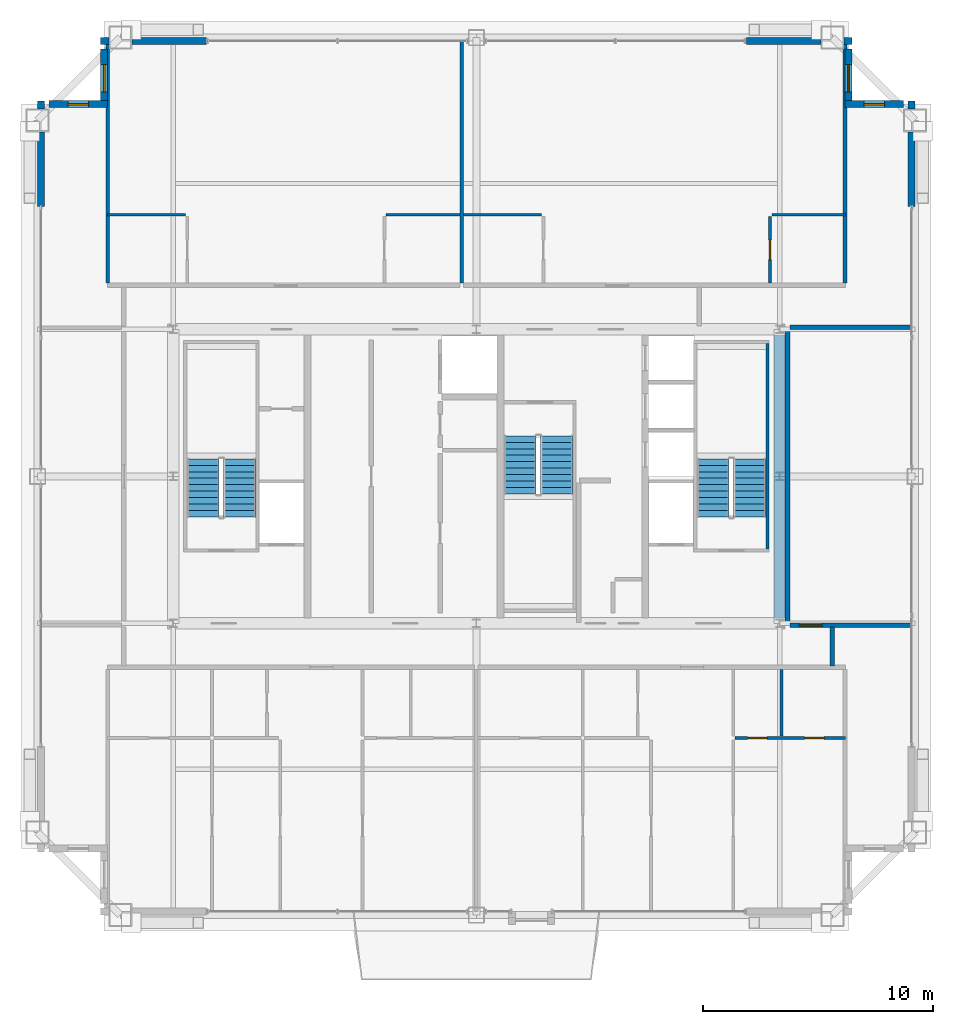
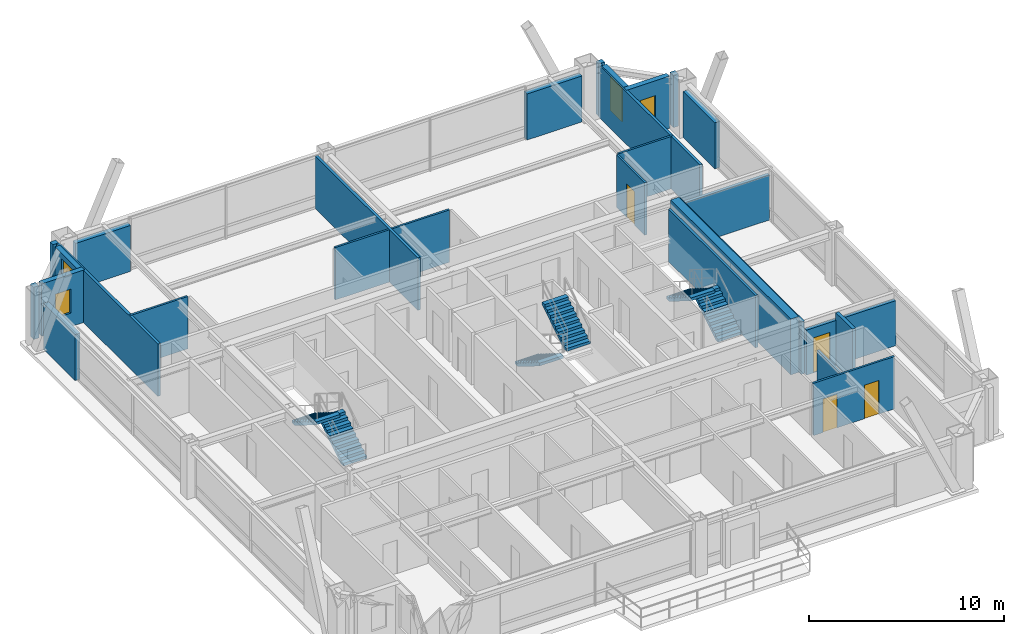
# One storey, part 33 of 34: 28 walls, 6 stair flights, 4 doors, 4 windows, 8 openings, 3 elements without a shape of their own.
"""IFC4 building model written with IfcOpenShell, lengths in metres."""

from ifc_helpers import new_model, si_unit, direction, frame, frame_2d, origin, place, context, subcontext, project, spatial, polyline, rectangle, outline, extrude, source, transform, mapped, material, layer, layer_set, type_object, element, fill, aggregate, save


model = new_model("IFC4")

# Units and contexts
model_context = context("Model", 3, precision=1e-05, world=origin(), true_north=direction((0.0, 1.0)))
body_context = subcontext(model_context, "Body", "Model", "MODEL_VIEW")
ifc_project = project(units=[si_unit("LENGTHUNIT", "METRE"), si_unit("AREAUNIT", "SQUARE_METRE"), si_unit("VOLUMEUNIT", "CUBIC_METRE"), si_unit("PLANEANGLEUNIT", "RADIAN"), si_unit("MASSUNIT", "GRAM", prefix="KILO"), si_unit("THERMODYNAMICTEMPERATUREUNIT", "KELVIN"), si_unit("POWERUNIT", "WATT")], contexts=[model_context])

# Site, building, storey
site_placement = place(None, origin())
site = spatial("IfcSite", under=ifc_project, at=site_placement, CompositionType="ELEMENT")
building_placement = place(site_placement, origin())
building = spatial("IfcBuilding", under=site, at=building_placement, Name="Yuzanri Waterfront Tower", CompositionType="ELEMENT")
storey_placement = place(building_placement, frame((0.0, 0.0, 328.699951171875)))
storey = spatial("IfcBuildingStorey", under=building, at=storey_placement, Name="L88", CompositionType="ELEMENT", Elevation=328.699951171875)

# Wall, openings, doors
ifc_material_1 = material(Name="Moisture-Resistant Gypsum Stud Wall", Category="gypsum")
ifc_layer_1 = layer(ifc_material_1, 0.1201171875)
ifc_layer_set_1 = layer_set([ifc_layer_1], Name="Moisture-Resistant Gypsum Stud Wall")
wall_type_1 = type_object("IfcWallType", Name="Bathroom and Kitchen Wet Partition 120", PredefinedType="PARTITIONING", material=ifc_layer_set_1)
wall_1_placement = place(storey_placement, frame((48.26611328125, 14.409912109375, 0.0), z_axis=(0.0, 0.0, 1.0), x_axis=(1.0, 0.0, 0.0)))
wall_1 = element("IfcWall", 1, at=wall_1_placement, inside=storey, type_object=wall_type_1, Name="L88 Partition UW-L88-HS2-SUB-6-N", PredefinedType="PARTITIONING", context=body_context, shape_type="SweptSolid", body=[
    extrude(rectangle(XDim=4.7939453125, YDim=0.1201171875, at=frame_2d((2.39697265625, 0.0))), origin(), (0.0, 0.0, 1.0), 3.280029296875),
])
opening_1_placement = place(wall_1_placement, frame((3.01904296875, 0.0, 0.0)))
opening_1 = element("IfcOpeningElement", 2, at=opening_1_placement, cuts=wall_1, Name="Opening ID-0850", PredefinedType="OPENING", context=body_context, shape_type="SweptSolid", body=[
    extrude(rectangle(XDim=0.85009765625, YDim=2.10009765625, at=frame_2d((0.425048828125, 1.050048828125))), frame((0.0, 0.074951171875, 0.0), z_axis=(0.0, -1.0, 0.0), x_axis=(1.0, 0.0, 0.0)), (0.0, 0.0, 1.0), 0.14990234375),
])
opening_2_placement = place(wall_1_placement, frame((0.5419921875, 0.0, 0.0)))
opening_2 = element("IfcOpeningElement", 3, at=opening_2_placement, cuts=wall_1, Name="Opening ID-0850", PredefinedType="OPENING", context=body_context, shape_type="SweptSolid", body=[
    extrude(rectangle(XDim=0.85009765625, YDim=2.10009765625, at=frame_2d((0.425048828125, 1.050048828125))), frame((0.0, 0.074951171875, 0.0), z_axis=(0.0, -1.0, 0.0), x_axis=(1.0, 0.0, 0.0)), (0.0, 0.0, 1.0), 0.14990234375),
])
ifc_material_2 = material(Name="Moisture-Resistant Lacquered Timber", Category="wood")
door_type_1 = type_object("IfcDoorType", Name="En-Suite Bathroom and Kitchen Swing Door 850x2100", OperationType="NOTDEFINED", PredefinedType="DOOR", material=ifc_material_2)
shared_shape_1 = source(origin(), body_context, "Body", "SweptSolid", [
    extrude(rectangle(XDim=0.85009765625, YDim=2.10009765625, at=frame_2d((0.425048828125, 1.050048828125))), frame((0.0, 0.02490234375, 0.0), z_axis=(0.0, -1.0, 0.0), x_axis=(1.0, 0.0, 0.0)), (0.0, 0.0, 1.0), 0.050048828125),
])
door_1_placement = place(opening_1_placement, origin())
door_1 = element("IfcDoor", 4, at=door_1_placement, inside=storey, type_object=door_type_1, Name="L88 Suite Interior Room Door", OperationType="SINGLE_SWING_LEFT", OverallHeight=2.10009765625, OverallWidth=0.85009765625, PredefinedType="DOOR", context=body_context, shape_type="MappedRepresentation", body=[
    mapped(shared_shape_1, transform((0.0, 0.0, 0.0), scale=1.0)),
])
fill(opening_1, door_1)
door_2_placement = place(opening_2_placement, origin())
door_2 = element("IfcDoor", 5, at=door_2_placement, inside=storey, type_object=door_type_1, Name="L88 Suite Interior Room Door", OperationType="SINGLE_SWING_RIGHT", OverallHeight=2.10009765625, OverallWidth=0.85009765625, PredefinedType="DOOR", context=body_context, shape_type="MappedRepresentation", body=[
    mapped(shared_shape_1, transform((0.0, 0.0, 0.0), scale=1.0)),
])
fill(opening_2, door_2)

# Wall, opening, door
wall_2_placement = place(storey_placement, frame((49.780029296875, 34.2099609375, 0.0), z_axis=(0.0, 0.0, 1.0), x_axis=(0.0, 1.0, 0.0)))
wall_2 = element("IfcWall", 6, at=wall_2_placement, inside=storey, type_object=wall_type_1, Name="L88 Partition UW-L88-HN2-SUB-2-W", PredefinedType="PARTITIONING", context=body_context, shape_type="SweptSolid", body=[
    extrude(rectangle(XDim=2.900146484375, YDim=0.1201171875, at=frame_2d((1.4501953125, 0.0))), origin(), (0.0, 0.0, 1.0), 3.280029296875),
])
opening_3_placement = place(wall_2_placement, frame((1.02490234375, 0.0, 0.0)))
opening_3 = element("IfcOpeningElement", 7, at=opening_3_placement, cuts=wall_2, Name="Opening ID-0850", PredefinedType="OPENING", context=body_context, shape_type="SweptSolid", body=[
    extrude(rectangle(XDim=0.85009765625, YDim=2.10009765625, at=frame_2d((0.425048828125, 1.050048828125))), frame((0.0, 0.074951171875, 0.0), z_axis=(0.0, -1.0, 0.0), x_axis=(1.0, 0.0, 0.0)), (0.0, 0.0, 1.0), 0.14990234375),
])
door_3_placement = place(opening_3_placement, origin())
door_3 = element("IfcDoor", 8, at=door_3_placement, inside=storey, type_object=door_type_1, Name="L88 Suite Interior Room Door", OperationType="SINGLE_SWING_LEFT", OverallHeight=2.10009765625, OverallWidth=0.85009765625, PredefinedType="DOOR", context=body_context, shape_type="MappedRepresentation", body=[
    mapped(shared_shape_1, transform((0.0, 0.0, 0.0), scale=1.0)),
])
fill(opening_3, door_3)

# Wall, opening, window
ifc_material_3 = material(Name="Honed Chongqing Dark Basalt Stone", Category="masonry")
ifc_layer_2 = layer(ifc_material_3, 0.300048828125)
ifc_layer_set_2 = layer_set([ifc_layer_2], Name="Honed Chongqing Dark Basalt Stone")
wall_type_2 = type_object("IfcWallType", Name="Bronze Rainscreen Insulated Spandrel Portal Wall 300", PredefinedType="SOLIDWALL", material=ifc_layer_set_2)
wall_3_placement = place(storey_placement, frame((20.949951171875, 42.0, 0.0), z_axis=(0.0, 0.0, 1.0), x_axis=(-1.0, 0.0, 0.0)))
wall_3 = element("IfcWall", 9, at=wall_3_placement, inside=storey, type_object=wall_type_2, Name="L88 Notched Corner Masonry Wall NW-X", PredefinedType="SOLIDWALL", context=body_context, shape_type="SweptSolid", body=[
    extrude(rectangle(XDim=2.550048828125, YDim=0.300048828125, at=frame_2d((1.27490234375, 0.0))), origin(), (0.0, 0.0, 1.0), 3.280029296875),
])
opening_4_placement = place(wall_3_placement, frame((0.824951171875, 0.0, 0.85009765625)))
opening_4 = element("IfcOpeningElement", 10, at=opening_4_placement, cuts=wall_3, Name="Opening WN-05", PredefinedType="OPENING", context=body_context, shape_type="SweptSolid", body=[
    extrude(rectangle(XDim=0.89990234375, YDim=1.5, at=frame_2d((0.449951171875, 0.75))), frame((0.0, 0.1650390625, 0.0), z_axis=(0.0, -1.0, 0.0), x_axis=(1.0, 0.0, 0.0)), (0.0, 0.0, 1.0), 0.329833984375),
])
ifc_material_4 = material(Name="Double-Silver Low-E Insulated Glass", Category="glass")
window_type_1 = type_object("IfcWindowType", Name="Anodized Bronze Service and Stairwell Smoke-Vent Window 900x1500", PartitioningType="SINGLE_PANEL", PredefinedType="WINDOW", material=ifc_material_4)
shared_shape_2 = source(origin(), body_context, "Body", "SweptSolid", [
    extrude(rectangle(XDim=0.89990234375, YDim=1.5, at=frame_2d((0.449951171875, 0.75))), frame((0.0, 0.030029296875, 0.0), z_axis=(0.0, -1.0, 0.0), x_axis=(1.0, 0.0, 0.0)), (0.0, 0.0, 1.0), 0.06005859375),
])
window_1_placement = place(opening_4_placement, origin())
window_1 = element("IfcWindow", 11, at=window_1_placement, inside=storey, type_object=window_type_1, Name="L88 Notched Corner Window NW-X", OverallHeight=1.5, OverallWidth=0.89990234375, PartitioningType="SINGLE_PANEL", PredefinedType="WINDOW", context=body_context, shape_type="MappedRepresentation", body=[
    mapped(shared_shape_2, transform((0.0, 0.0, 0.0), scale=1.0)),
])
fill(opening_4, window_1)

wall_4_placement = place(storey_placement, frame((20.800048828125, 44.39990234375, 0.0), z_axis=(0.0, 0.0, 1.0), x_axis=(0.0, -1.0, 0.0)))
wall_4 = element("IfcWall", 12, at=wall_4_placement, inside=storey, type_object=wall_type_2, Name="L88 Notched Corner Masonry Wall NW-Y", PredefinedType="SOLIDWALL", context=body_context, shape_type="SweptSolid", body=[
    extrude(rectangle(XDim=2.5498046875, YDim=0.300048828125, at=frame_2d((1.27490234375, 0.0))), origin(), (0.0, 0.0, 1.0), 3.280029296875),
])
opening_5_placement = place(wall_4_placement, frame((0.675048828125, 0.0, 0.85009765625)))
opening_5 = element("IfcOpeningElement", 13, at=opening_5_placement, cuts=wall_4, Name="Opening WN-02", PredefinedType="OPENING", context=body_context, shape_type="SweptSolid", body=[
    extrude(rectangle(XDim=1.199951171875, YDim=2.10009765625, at=frame_2d((0.60009765625, 1.050048828125))), frame((0.0, 0.1650390625, 0.0), z_axis=(0.0, -1.0, 0.0), x_axis=(1.0, 0.0, 0.0)), (0.0, 0.0, 1.0), 0.329833984375),
])
ifc_material_5 = material(Name="Double-Silver Low-E Insulated Glass", Category="glass")
window_type_2 = type_object("IfcWindowType", Name="Anodized Bronze Notched Corner Deep-Set Slot Window 1200x2100", PartitioningType="SINGLE_PANEL", PredefinedType="WINDOW", material=ifc_material_5)
shared_shape_3 = source(origin(), body_context, "Body", "SweptSolid", [
    extrude(rectangle(XDim=1.199951171875, YDim=2.10009765625, at=frame_2d((0.60009765625, 1.050048828125))), frame((0.0, 0.030029296875, 0.0), z_axis=(0.0, -1.0, 0.0), x_axis=(1.0, 0.0, 0.0)), (0.0, 0.0, 1.0), 0.06005859375),
])
window_2_placement = place(opening_5_placement, origin())
window_2 = element("IfcWindow", 14, at=window_2_placement, inside=storey, type_object=window_type_2, Name="L88 Notched Corner Window NW-Y", OverallHeight=2.10009765625, OverallWidth=1.199951171875, PartitioningType="SINGLE_PANEL", PredefinedType="WINDOW", context=body_context, shape_type="MappedRepresentation", body=[
    mapped(shared_shape_3, transform((0.0, 0.0, 0.0), scale=1.0)),
])
fill(opening_5, window_2)

wall_5_placement = place(storey_placement, frame((55.60009765625, 42.0, 0.0), z_axis=(0.0, 0.0, 1.0), x_axis=(-1.0, 0.0, 0.0)))
wall_5 = element("IfcWall", 15, at=wall_5_placement, inside=storey, type_object=wall_type_2, Name="L88 Notched Corner Masonry Wall NE-X", PredefinedType="SOLIDWALL", context=body_context, shape_type="SweptSolid", body=[
    extrude(rectangle(XDim=2.550048828125, YDim=0.300048828125, at=frame_2d((1.27490234375, 0.0))), origin(), (0.0, 0.0, 1.0), 3.280029296875),
])
opening_6_placement = place(wall_5_placement, frame((0.824951171875, 0.0, 0.85009765625)))
opening_6 = element("IfcOpeningElement", 16, at=opening_6_placement, cuts=wall_5, Name="Opening WN-05", PredefinedType="OPENING", context=body_context, shape_type="SweptSolid", body=[
    extrude(rectangle(XDim=0.89990234375, YDim=1.5, at=frame_2d((0.449951171875, 0.75))), frame((0.0, 0.1650390625, 0.0), z_axis=(0.0, -1.0, 0.0), x_axis=(1.0, 0.0, 0.0)), (0.0, 0.0, 1.0), 0.329833984375),
])
window_3_placement = place(opening_6_placement, origin())
window_3 = element("IfcWindow", 17, at=window_3_placement, inside=storey, type_object=window_type_1, Name="L88 Notched Corner Window NE-X", OverallHeight=1.5, OverallWidth=0.89990234375, PartitioningType="SINGLE_PANEL", PredefinedType="WINDOW", context=body_context, shape_type="MappedRepresentation", body=[
    mapped(shared_shape_2, transform((0.0, 0.0, 0.0), scale=1.0)),
])
fill(opening_6, window_3)

wall_6_placement = place(storey_placement, frame((53.199951171875, 41.85009765625, 0.0), z_axis=(0.0, 0.0, 1.0), x_axis=(0.0, 1.0, 0.0)))
wall_6 = element("IfcWall", 18, at=wall_6_placement, inside=storey, type_object=wall_type_2, Name="L88 Notched Corner Masonry Wall NE-Y", PredefinedType="SOLIDWALL", context=body_context, shape_type="SweptSolid", body=[
    extrude(rectangle(XDim=2.5498046875, YDim=0.300048828125, at=frame_2d((1.27490234375, 0.0))), origin(), (0.0, 0.0, 1.0), 3.280029296875),
])
opening_7_placement = place(wall_6_placement, frame((0.675048828125, 0.0, 0.85009765625)))
opening_7 = element("IfcOpeningElement", 19, at=opening_7_placement, cuts=wall_6, Name="Opening WN-02", PredefinedType="OPENING", context=body_context, shape_type="SweptSolid", body=[
    extrude(rectangle(XDim=1.199951171875, YDim=2.10009765625, at=frame_2d((0.60009765625, 1.050048828125))), frame((0.0, 0.1650390625, 0.0), z_axis=(0.0, -1.0, 0.0), x_axis=(1.0, 0.0, 0.0)), (0.0, 0.0, 1.0), 0.329833984375),
])
window_4_placement = place(opening_7_placement, origin())
window_4 = element("IfcWindow", 20, at=window_4_placement, inside=storey, type_object=window_type_2, Name="L88 Notched Corner Window NE-Y", OverallHeight=2.10009765625, OverallWidth=1.199951171875, PartitioningType="SINGLE_PANEL", PredefinedType="WINDOW", context=body_context, shape_type="MappedRepresentation", body=[
    mapped(shared_shape_3, transform((0.0, 0.0, 0.0), scale=1.0)),
])
fill(opening_7, window_4)

# Wall, opening, door
ifc_material_6 = material(Name="Autoclaved Aerated Concrete Blockwork", Category="masonry")
ifc_layer_3 = layer(ifc_material_6, 0.199951171875)
ifc_layer_set_3 = layer_set([ifc_layer_3], Name="Autoclaved Aerated Concrete Blockwork")
wall_type_3 = type_object("IfcWallType", Name="Corridor and Unit Party Fire Wall 200", PredefinedType="PARTITIONING", material=ifc_layer_set_3)
wall_7_placement = place(storey_placement, frame((50.64990234375, 19.31005859375, 0.0), z_axis=(0.0, 0.0, 1.0), x_axis=(1.0, 0.0, 0.0)))
wall_7 = element("IfcWall", 21, at=wall_7_placement, inside=storey, type_object=wall_type_3, Name="L88 Partition UW-L88-042-CS", PredefinedType="PARTITIONING", context=body_context, shape_type="SweptSolid", body=[
    extrude(rectangle(XDim=5.300048828125, YDim=0.199951171875, at=frame_2d((2.64990234375, 0.0))), origin(), (0.0, 0.0, 1.0), 2.824951171875),
])
opening_8_placement = place(wall_7_placement, frame((0.39990234375, 0.0, 0.0)))
opening_8 = element("IfcOpeningElement", 22, at=opening_8_placement, cuts=wall_7, Name="Opening FD-1000", PredefinedType="OPENING", context=body_context, shape_type="SweptSolid", body=[
    extrude(rectangle(XDim=1.0, YDim=2.199951171875, at=frame_2d((0.5, 1.10009765625))), frame((0.0, 0.11474609375, 0.0), z_axis=(0.0, -1.0, 0.0), x_axis=(1.0, 0.0, 0.0)), (0.0, 0.0, 1.0), 0.229736328125),
])
ifc_material_7 = material(Name="Engineered Oak Fire-Rated Timber", Category="wood")
door_type_2 = type_object("IfcDoorType", Name="Guestroom and Apartment Entrance Fire Door 1000x2200", OperationType="NOTDEFINED", PredefinedType="DOOR", material=ifc_material_7)
shared_shape_4 = source(origin(), body_context, "Body", "SweptSolid", [
    extrude(rectangle(XDim=1.0, YDim=2.199951171875, at=frame_2d((0.5, 1.10009765625))), frame((0.0, 0.02490234375, 0.0), z_axis=(0.0, -1.0, 0.0), x_axis=(1.0, 0.0, 0.0)), (0.0, 0.0, 1.0), 0.050048828125),
])
door_4_placement = place(opening_8_placement, origin())
door_4 = element("IfcDoor", 23, at=door_4_placement, inside=storey, type_object=door_type_2, Name="L88 High-Rise E Boardroom Meeting Room Entrance Door", OperationType="SINGLE_SWING_LEFT", OverallHeight=2.199951171875, OverallWidth=1.0, PredefinedType="DOOR", context=body_context, shape_type="MappedRepresentation", body=[
    mapped(shared_shape_4, transform((0.0, 0.0, 0.0), scale=1.0)),
])
fill(opening_8, door_4)

# Walls
ifc_material_8 = material(Name="Concrete C45", Category="concrete")
ifc_layer_4 = layer(ifc_material_8, 0.47998046875)
ifc_layer_set_4 = layer_set([ifc_layer_4], Name="Concrete C45")
wall_type_4 = type_object("IfcWallType", Name="Concrete C45 High-Rise Core Shear Wall 480", PredefinedType="SHEAR", material=ifc_layer_set_4)
shared_shape_5 = source(origin(), body_context, "Body", "SweptSolid", [
    extrude(rectangle(XDim=12.320068359375, YDim=0.47998046875, at=frame_2d((6.16015625, 0.0))), origin(), (0.0, 0.0, 1.0), 3.5),
])
wall_8_placement = place(storey_placement, frame((50.199951171875, 19.639892578125, 0.0), z_axis=(0.0, 0.0, 1.0), x_axis=(0.0, 1.0, 0.0)))
element("IfcWall", 24, at=wall_8_placement, inside=storey, type_object=wall_type_4, Name="L88 Core East Shear Wall", PredefinedType="SHEAR", context=body_context, shape_type="MappedRepresentation", body=[
    mapped(shared_shape_5, transform((0.0, 0.0, 0.0), scale=1.0)),
])
shared_shape_6 = source(origin(), body_context, "Body", "SweptSolid", [
    extrude(rectangle(XDim=3.25, YDim=0.300048828125, at=frame_2d((1.625, 0.0))), origin(), (0.0, 0.0, 1.0), 2.885009765625),
])
for number, where, z_axis, x_axis, name in (
    (25, (22.0, 44.75, 0.0), (0.0, 0.0, 1.0), (1.0, 0.0, 0.0), "L88 N Left Braced Masonry Shoulder"),
    (26, (48.75, 44.75, 0.0), (0.0, 0.0, 1.0), (1.0, 0.0, 0.0), "L88 N Right Braced Masonry Shoulder"),
    (27, (18.050048828125, 37.550048828125, 0.0), (0.0, 0.0, 1.0), (0.0, 1.0, 0.0), "L88 W Right Braced Masonry Shoulder"),
    (28, (55.949951171875, 37.550048828125, 0.0), (0.0, 0.0, 1.0), (0.0, 1.0, 0.0), "L88 E Right Braced Masonry Shoulder"),
):
    element("IfcWall", number, at=place(storey_placement, frame(where, z_axis=z_axis, x_axis=x_axis)), inside=storey, type_object=wall_type_2, Name=name, PredefinedType="SOLIDWALL", context=body_context, shape_type="MappedRepresentation", body=[
        mapped(shared_shape_6, transform((0.0, 0.0, 0.0), scale=1.0)),
    ])
shared_shape_7 = source(origin(), body_context, "Body", "SweptSolid", [
    extrude(rectangle(XDim=0.35009765625, YDim=0.300048828125, at=frame_2d((0.175048828125, 0.0))), origin(), (0.0, 0.0, 1.0), 3.280029296875),
])
for number, where, z_axis, x_axis, name in (
    (29, (20.64990234375, 44.75, 0.0), (0.0, 0.0, 1.0), (1.0, 0.0, 0.0), "L88 Corner Column Shoulder Return CNW"),
    (30, (53.0, 44.75, 0.0), (0.0, 0.0, 1.0), (1.0, 0.0, 0.0), "L88 Corner Column Shoulder Return CNE"),
):
    element("IfcWall", number, at=place(storey_placement, frame(where, z_axis=z_axis, x_axis=x_axis)), inside=storey, type_object=wall_type_2, Name=name, PredefinedType="SOLIDWALL", context=body_context, shape_type="MappedRepresentation", body=[
        mapped(shared_shape_7, transform((0.0, 0.0, 0.0), scale=1.0)),
    ])
shared_shape_8 = source(origin(), body_context, "Body", "SweptSolid", [
    extrude(rectangle(XDim=0.349853515625, YDim=0.300048828125, at=frame_2d((0.1748046875, 0.0))), origin(), (0.0, 0.0, 1.0), 3.280029296875),
])
for number, where, z_axis, x_axis, name in (
    (31, (18.050048828125, 41.800048828125, 0.0), (0.0, 0.0, 1.0), (0.0, 1.0, 0.0), "L88 Corner Column Shoulder Return CWN"),
    (32, (55.949951171875, 41.800048828125, 0.0), (0.0, 0.0, 1.0), (0.0, 1.0, 0.0), "L88 Corner Column Shoulder Return CEN"),
):
    element("IfcWall", number, at=place(storey_placement, frame(where, z_axis=z_axis, x_axis=x_axis)), inside=storey, type_object=wall_type_2, Name=name, PredefinedType="SOLIDWALL", context=body_context, shape_type="MappedRepresentation", body=[
        mapped(shared_shape_8, transform((0.0, 0.0, 0.0), scale=1.0)),
    ])
ifc_material_9 = material(Name="Concrete C40", Category="concrete")
ifc_layer_5 = layer(ifc_material_9, 0.139892578125)
ifc_layer_set_5 = layer_set([ifc_layer_5], Name="Concrete C40")
wall_type_5 = type_object("IfcWallType", Name="Core Stair Liner and Hoistway Shaft Wall 140", PredefinedType="SOLIDWALL", material=ifc_layer_set_5)
shared_shape_9 = source(origin(), body_context, "Body", "SweptSolid", [
    extrude(rectangle(XDim=8.940185546875, YDim=0.139892578125, at=frame_2d((4.47021484375, 0.0))), origin(), (0.0, 0.0, 1.0), 3.280029296875),
])
wall_9_placement = place(storey_placement, frame((49.669921875, 22.639892578125, 0.0), z_axis=(0.0, 0.0, 1.0), x_axis=(0.0, 1.0, 0.0)))
element("IfcWall", 33, at=wall_9_placement, inside=storey, type_object=wall_type_5, Name="L88 Stair ST-02 East Shaft Wall", PredefinedType="SOLIDWALL", context=body_context, shape_type="MappedRepresentation", body=[
    mapped(shared_shape_9, transform((0.0, 0.0, 0.0), scale=1.0)),
])
shared_shape_10 = source(origin(), body_context, "Body", "SweptSolid", [
    extrude(rectangle(XDim=3.400146484375, YDim=0.1201171875, at=frame_2d((1.7001953125, 0.0))), origin(), (0.0, 0.0, 1.0), 3.280029296875),
])
wall_10_placement = place(storey_placement, frame((20.93994140625, 37.18994140625, 0.0), z_axis=(0.0, 0.0, 1.0), x_axis=(1.0, 0.0, 0.0)))
element("IfcWall", 34, at=wall_10_placement, inside=storey, type_object=wall_type_1, Name="L88 Partition UW-L88-HN1-SUB-1-N", PredefinedType="PARTITIONING", context=body_context, shape_type="MappedRepresentation", body=[
    mapped(shared_shape_10, transform((0.0, 0.0, 0.0), scale=1.0)),
])
shared_shape_11 = source(origin(), body_context, "Body", "SweptSolid", [
    extrude(rectangle(XDim=3.199951171875, YDim=0.1201171875, at=frame_2d((1.60009765625, 0.0))), origin(), (0.0, 0.0, 1.0), 3.280029296875),
])
wall_11_placement = place(storey_placement, frame((49.860107421875, 37.18994140625, 0.0), z_axis=(0.0, 0.0, 1.0), x_axis=(1.0, 0.0, 0.0)))
element("IfcWall", 35, at=wall_11_placement, inside=storey, type_object=wall_type_1, Name="L88 Partition UW-L88-HN2-SUB-2-N", PredefinedType="PARTITIONING", context=body_context, shape_type="MappedRepresentation", body=[
    mapped(shared_shape_11, transform((0.0, 0.0, 0.0), scale=1.0)),
])
shared_shape_12 = source(origin(), body_context, "Body", "SweptSolid", [
    extrude(rectangle(XDim=12.780029296875, YDim=0.199951171875, at=frame_2d((6.39013671875, 0.0))), origin(), (0.0, 0.0, 1.0), 3.280029296875),
])
wall_12_placement = place(storey_placement, frame((50.544921875, 19.409912109375, 0.0), z_axis=(0.0, 0.0, 1.0), x_axis=(0.0, 1.0, 0.0)))
element("IfcWall", 36, at=wall_12_placement, inside=storey, type_object=wall_type_3, Name="L88-042 Wing Inner Core-Side Wall", PredefinedType="PARTITIONING", context=body_context, shape_type="MappedRepresentation", body=[
    mapped(shared_shape_12, transform((0.0, 0.0, 0.0), scale=1.0)),
])
shared_shape_13 = source(origin(), body_context, "Body", "SweptSolid", [
    extrude(rectangle(XDim=5.300048828125, YDim=0.199951171875, at=frame_2d((2.64990234375, 0.0))), origin(), (0.0, 0.0, 1.0), 2.824951171875),
])
wall_13_placement = place(storey_placement, frame((50.64990234375, 32.2900390625, 0.0), z_axis=(0.0, 0.0, 1.0), x_axis=(1.0, 0.0, 0.0)))
element("IfcWall", 37, at=wall_13_placement, inside=storey, type_object=wall_type_3, Name="L88-042 Wing North Wall", PredefinedType="PARTITIONING", context=body_context, shape_type="MappedRepresentation", body=[
    mapped(shared_shape_13, transform((0.0, 0.0, 0.0), scale=1.0)),
])
shared_shape_14 = source(origin(), body_context, "Body", "SweptSolid", [
    extrude(rectangle(XDim=2.89990234375, YDim=0.1201171875, at=frame_2d((1.449951171875, 0.0))), origin(), (0.0, 0.0, 1.0), 2.824951171875),
])
wall_14_placement = place(storey_placement, frame((50.280029296875, 14.489990234375, 0.0), z_axis=(0.0, 0.0, 1.0), x_axis=(0.0, 1.0, 0.0)))
element("IfcWall", 38, at=wall_14_placement, inside=storey, type_object=wall_type_1, Name="L88 Partition UW-L88-HS2-SUB-3-W", PredefinedType="PARTITIONING", context=body_context, shape_type="MappedRepresentation", body=[
    mapped(shared_shape_14, transform((0.0, 0.0, 0.0), scale=1.0)),
])
shared_shape_15 = source(origin(), body_context, "Body", "SweptSolid", [
    extrude(rectangle(XDim=1.699951171875, YDim=0.199951171875, at=frame_2d((0.85009765625, 0.0))), origin(), (0.0, 0.0, 1.0), 3.280029296875),
])
wall_15_placement = place(storey_placement, frame((52.5, 17.550048828125, 0.0), z_axis=(0.0, 0.0, 1.0), x_axis=(0.0, 1.0, 0.0)))
element("IfcWall", 39, at=wall_15_placement, inside=storey, type_object=wall_type_3, Name="L88 South Foyer East End Wall", PredefinedType="PARTITIONING", context=body_context, shape_type="MappedRepresentation", body=[
    mapped(shared_shape_15, transform((0.0, 0.0, 0.0), scale=1.0)),
])
ifc_material_10 = material(Name="Gypsum Fireboard Acoustic Stud Wall", Category="gypsum")
ifc_layer_6 = layer(ifc_material_10, 0.159912109375)
ifc_layer_set_6 = layer_set([ifc_layer_6], Name="Gypsum Fireboard Acoustic Stud Wall")
wall_type_6 = type_object("IfcWallType", Name="Acoustic Suite Demising Partition 160", PredefinedType="PARTITIONING", material=ifc_layer_set_6)
shared_shape_16 = source(origin(), body_context, "Body", "SweptSolid", [
    extrude(rectangle(XDim=10.39013671875, YDim=0.159912109375, at=frame_2d((5.195068359375, 0.0))), origin(), (0.0, 0.0, 1.0), 3.280029296875),
])
for number, where, z_axis, x_axis, name in (
    (40, (20.949951171875, 34.2099609375, 0.0), (0.0, 0.0, 1.0), (0.0, 1.0, 0.0), "L88 North Band West End Wall"),
    (41, (53.050048828125, 34.2099609375, 0.0), (0.0, 0.0, 1.0), (0.0, 1.0, 0.0), "L88 North Band East End Wall"),
):
    element("IfcWall", number, at=place(storey_placement, frame(where, z_axis=z_axis, x_axis=x_axis)), inside=storey, type_object=wall_type_6, Name=name, PredefinedType="PARTITIONING", context=body_context, shape_type="MappedRepresentation", body=[
        mapped(shared_shape_16, transform((0.0, 0.0, 0.0), scale=1.0)),
    ])
shared_shape_17 = source(origin(), body_context, "Body", "SweptSolid", [
    extrude(rectangle(XDim=10.5400390625, YDim=0.159912109375, at=frame_2d((5.27001953125, 0.0))), origin(), (0.0, 0.0, 1.0), 3.280029296875),
])
wall_16_placement = place(storey_placement, frame((36.35791015625, 34.2099609375, 0.0), z_axis=(0.0, 0.0, 1.0), x_axis=(0.0, 1.0, 0.0)))
element("IfcWall", 42, at=wall_16_placement, inside=storey, type_object=wall_type_6, Name="L88-HN1 Party Wall", PredefinedType="PARTITIONING", context=body_context, shape_type="MappedRepresentation", body=[
    mapped(shared_shape_17, transform((0.0, 0.0, 0.0), scale=1.0)),
])
shared_shape_18 = source(origin(), body_context, "Body", "SweptSolid", [
    extrude(rectangle(XDim=3.2001953125, YDim=0.1201171875, at=frame_2d((1.60009765625, 0.0))), origin(), (0.0, 0.0, 1.0), 3.280029296875),
])
wall_17_placement = place(storey_placement, frame((33.077880859375, 37.18994140625, 0.0), z_axis=(0.0, 0.0, 1.0), x_axis=(1.0, 0.0, 0.0)))
element("IfcWall", 43, at=wall_17_placement, inside=storey, type_object=wall_type_1, Name="L88 Partition UW-L88-HN1-SUB-2-N", PredefinedType="PARTITIONING", context=body_context, shape_type="MappedRepresentation", body=[
    mapped(shared_shape_18, transform((0.0, 0.0, 0.0), scale=1.0)),
])
shared_shape_19 = source(origin(), body_context, "Body", "SweptSolid", [
    extrude(rectangle(XDim=3.39990234375, YDim=0.1201171875, at=frame_2d((1.699951171875, 0.0))), origin(), (0.0, 0.0, 1.0), 3.280029296875),
])
wall_18_placement = place(storey_placement, frame((36.43798828125, 37.18994140625, 0.0), z_axis=(0.0, 0.0, 1.0), x_axis=(1.0, 0.0, 0.0)))
element("IfcWall", 44, at=wall_18_placement, inside=storey, type_object=wall_type_1, Name="L88 Partition UW-L88-HN2-SUB-1-N", PredefinedType="PARTITIONING", context=body_context, shape_type="MappedRepresentation", body=[
    mapped(shared_shape_19, transform((0.0, 0.0, 0.0), scale=1.0)),
])

# Stair, stair flights
ifc_material_11 = material(Name="Concrete C40", Category="concrete")
stair_type = type_object("IfcStairType", Name="Concrete C40 Core Dogleg Exit Stair", PredefinedType="HALF_TURN_STAIR", material=ifc_material_11)
stair_1_placement = place(storey_placement, origin())
stair_1 = element("IfcStair", 45, at=stair_1_placement, inside=storey, type_object=stair_type, Name="L88 Smoke-Proof Core Stair ST-01", PredefinedType="HALF_TURN_STAIR")
ifc_material_12 = material(Name="Concrete C40", Category="concrete")
stair_flight_type = type_object("IfcStairFlightType", Name="Concrete C40 Precast Stair Flight 1380", PredefinedType="STRAIGHT", material=ifc_material_12)
shared_shape_20 = source(origin(), body_context, "Body", "SweptSolid", [
    extrude(outline(polyline([(0.0, 0.0), (0.0, 0.175048828125), (0.280029296875, 0.175048828125), (0.280029296875, 0.35009765625), (0.56005859375, 0.35009765625), (0.56005859375, 0.52490234375), (0.840087890625, 0.52490234375), (0.840087890625, 0.699951171875), (1.1201171875, 0.699951171875), (1.1201171875, 0.875), (1.39990234375, 0.875), (1.39990234375, 1.050048828125), (1.679931640625, 1.050048828125), (1.679931640625, 1.22509765625), (1.9599609375, 1.22509765625), (1.9599609375, 1.39990234375), (2.239990234375, 1.39990234375), (2.239990234375, 1.574951171875), (2.52001953125, 1.574951171875), (2.52001953125, 1.75), (2.52001953125, 1.398193359375), (0.28271484375, 0.0), (0.0, 0.0)])), frame((0.0, 0.699951171875, 0.0), z_axis=(0.0, -1.0, 0.0), x_axis=(1.0, 0.0, 0.0)), (0.0, 0.0, 1.0), 1.39990234375),
])
stair_flight_1_placement = place(storey_placement, frame((26.699951171875, 24.0400390625, 0.0), z_axis=(0.0, 0.0, 1.0), x_axis=(0.0, 1.0, 0.0)))
stair_flight_1 = element("IfcStairFlight", 46, at=stair_flight_1_placement, type_object=stair_flight_type, Name="ST-01 flight 1", NumberOfRisers=10, NumberOfTreads=9, PredefinedType="STRAIGHT", RiserHeight=0.175, TreadLength=0.28, context=body_context, shape_type="MappedRepresentation", body=[
    mapped(shared_shape_20, transform((0.0, 0.0, 0.0), scale=1.0)),
])
stair_flight_2_placement = place(storey_placement, frame((25.10009765625, 26.56005859375, 1.75), z_axis=(0.0, 0.0, 1.0), x_axis=(0.0, -1.0, 0.0)))
stair_flight_2 = element("IfcStairFlight", 47, at=stair_flight_2_placement, type_object=stair_flight_type, Name="ST-01 flight 2", NumberOfRisers=10, NumberOfTreads=9, PredefinedType="STRAIGHT", RiserHeight=0.175, TreadLength=0.28, context=body_context, shape_type="MappedRepresentation", body=[
    mapped(shared_shape_20, transform((0.0, 0.0, 0.0), scale=1.0)),
])
aggregate(stair_1, [stair_flight_1, stair_flight_2])

stair_2_placement = place(storey_placement, origin())
stair_2 = element("IfcStair", 48, at=stair_2_placement, inside=storey, type_object=stair_type, Name="L88 Smoke-Proof Core Stair ST-02", PredefinedType="HALF_TURN_STAIR")
stair_flight_3_placement = place(storey_placement, frame((48.89990234375, 24.0400390625, 0.0), z_axis=(0.0, 0.0, 1.0), x_axis=(0.0, 1.0, 0.0)))
stair_flight_3 = element("IfcStairFlight", 49, at=stair_flight_3_placement, type_object=stair_flight_type, Name="ST-02 flight 1", NumberOfRisers=10, NumberOfTreads=9, PredefinedType="STRAIGHT", RiserHeight=0.175, TreadLength=0.28, context=body_context, shape_type="MappedRepresentation", body=[
    mapped(shared_shape_20, transform((0.0, 0.0, 0.0), scale=1.0)),
])
stair_flight_4_placement = place(storey_placement, frame((47.300048828125, 26.56005859375, 1.75), z_axis=(0.0, 0.0, 1.0), x_axis=(0.0, -1.0, 0.0)))
stair_flight_4 = element("IfcStairFlight", 50, at=stair_flight_4_placement, type_object=stair_flight_type, Name="ST-02 flight 2", NumberOfRisers=10, NumberOfTreads=9, PredefinedType="STRAIGHT", RiserHeight=0.175, TreadLength=0.28, context=body_context, shape_type="MappedRepresentation", body=[
    mapped(shared_shape_20, transform((0.0, 0.0, 0.0), scale=1.0)),
])
aggregate(stair_2, [stair_flight_3, stair_flight_4])

stair_3_placement = place(storey_placement, origin())
stair_3 = element("IfcStair", 51, at=stair_3_placement, inside=storey, type_object=stair_type, Name="L88 Smoke-Proof Core Stair ST-03", PredefinedType="HALF_TURN_STAIR")
stair_flight_5_placement = place(storey_placement, frame((38.89990234375, 27.56005859375, 0.0), z_axis=(0.0, 0.0, 1.0), x_axis=(0.0, -1.0, 0.0)))
stair_flight_5 = element("IfcStairFlight", 52, at=stair_flight_5_placement, type_object=stair_flight_type, Name="ST-03 flight 1", NumberOfRisers=10, NumberOfTreads=9, PredefinedType="STRAIGHT", RiserHeight=0.175, TreadLength=0.28, context=body_context, shape_type="MappedRepresentation", body=[
    mapped(shared_shape_20, transform((0.0, 0.0, 0.0), scale=1.0)),
])
stair_flight_6_placement = place(storey_placement, frame((40.5, 25.0400390625, 1.75), z_axis=(0.0, 0.0, 1.0), x_axis=(0.0, 1.0, 0.0)))
stair_flight_6 = element("IfcStairFlight", 53, at=stair_flight_6_placement, type_object=stair_flight_type, Name="ST-03 flight 2", NumberOfRisers=10, NumberOfTreads=9, PredefinedType="STRAIGHT", RiserHeight=0.175, TreadLength=0.28, context=body_context, shape_type="MappedRepresentation", body=[
    mapped(shared_shape_20, transform((0.0, 0.0, 0.0), scale=1.0)),
])
aggregate(stair_3, [stair_flight_5, stair_flight_6])

save(model, "model.ifc")
